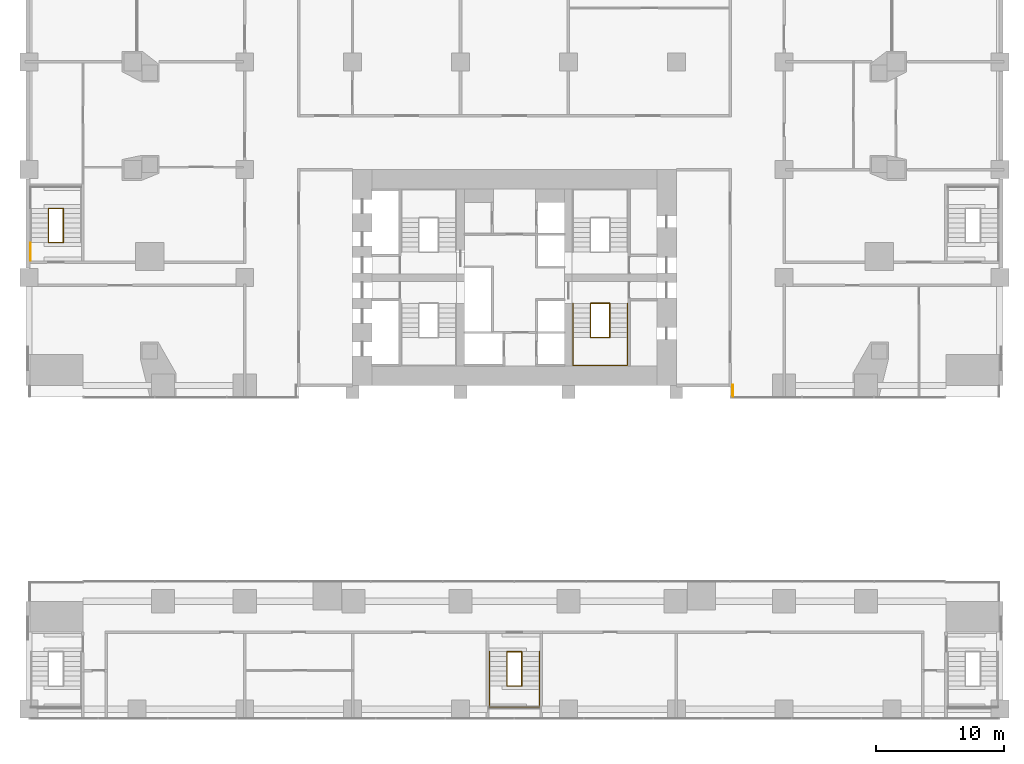
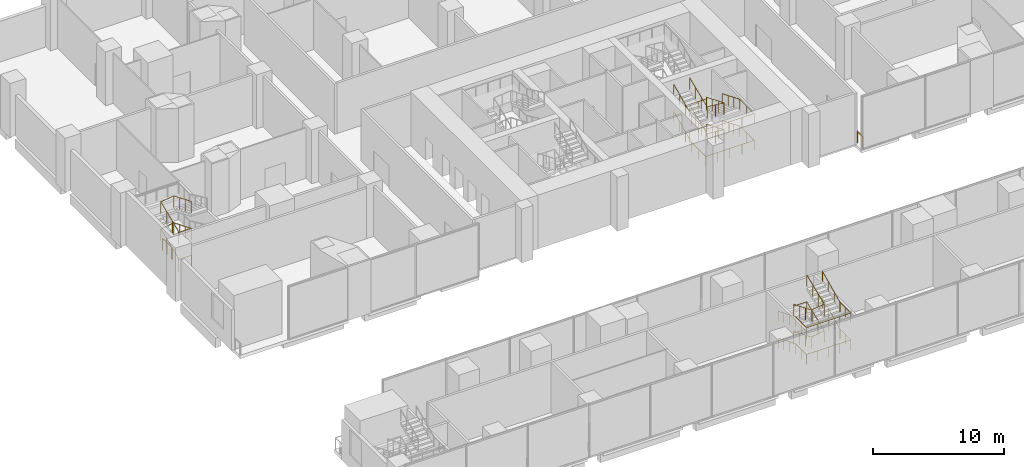
# One storey, part 20 of 24: 12 railings.
"""IFC4 building model written with IfcOpenShell, lengths in metres."""

from ifc_helpers import new_model, si_unit, direction, frame, origin, origin_2d, place, context, subcontext, project, spatial, circle, extrude, material, type_object, element, save


model = new_model("IFC4")

# Units and contexts
model_context = context("Model", 3, precision=1e-05, world=origin(), true_north=direction((0.0, 1.0)))
body_context = subcontext(model_context, "Body", "Model", "MODEL_VIEW")
ifc_project = project(units=[si_unit("LENGTHUNIT", "METRE"), si_unit("AREAUNIT", "SQUARE_METRE"), si_unit("VOLUMEUNIT", "CUBIC_METRE"), si_unit("PLANEANGLEUNIT", "RADIAN"), si_unit("MASSUNIT", "GRAM", prefix="KILO")], contexts=[model_context])

# Site, building, storey
site_placement = place(None, origin())
site = spatial("IfcSite", under=ifc_project, at=site_placement, CompositionType="ELEMENT")
building_placement = place(site_placement, origin())
building = spatial("IfcBuilding", under=site, at=building_placement, Name="Marenta Gate Hotel Tower", CompositionType="ELEMENT")
storey_placement = place(building_placement, frame((0.0, 0.0, 8.0)))
storey = spatial("IfcBuildingStorey", under=building, at=storey_placement, Name="L01", CompositionType="ELEMENT", Elevation=8.0)

# Railings
ifc_material_1 = material(Name="Stainless steel", Category="steel")
railing_type_1 = type_object("IfcRailingType", Name="Core stair handrail 950", PredefinedType="HANDRAIL", material=ifc_material_1)
railing_1_placement = place(storey_placement, frame((8.800048828125, 6.39990234375, 0.15625)))
element("IfcRailing", 1, at=railing_1_placement, inside=storey, type_object=railing_type_1, Name="HR-950 L01-KR-ST3-1", PredefinedType="HANDRAIL", context=body_context, shape_type="SweptSolid", body=[
    extrude(circle(Radius=0.02392578125, at=origin_2d()), frame((0.0, 0.0, 0.92578125), z_axis=(0.0, -0.924862585091, 0.38030145766), x_axis=(1.0, 0.0, 0.0)), (0.0, 0.0, 1.0), 2.8759765625),
    extrude(circle(Radius=0.02392578125, at=origin_2d()), frame((0.0, -2.659912109375, 2.01953125), z_axis=(0.0, -1.0, 0.0), x_axis=(1.0, 0.0, 0.0)), (0.0, 0.0, 1.0), 2.18994140625),
    extrude(circle(Radius=0.02392578125, at=origin_2d()), frame((0.0, -4.849853515625, 2.01953125), z_axis=(-1.0, 0.0, 0.0), x_axis=(0.0, -1.0, 0.0)), (0.0, 0.0, 1.0), 4.25),
    extrude(circle(Radius=0.02392578125, at=origin_2d()), frame((-4.25, -4.849853515625, 2.01953125), z_axis=(0.0, 1.0, 0.0), x_axis=(-1.0, 0.0, 0.0)), (0.0, 0.0, 1.0), 2.18994140625),
    extrude(circle(Radius=0.02392578125, at=origin_2d()), frame((-4.25, -2.659912109375, 2.01953125), z_axis=(0.0, 0.905044486808, 0.425316913488), x_axis=(-1.0, 0.0, 0.0)), (0.0, 0.0, 1.0), 2.93896484375),
    extrude(circle(Radius=0.02099609375, at=origin_2d()), origin(), (0.0, 0.0, 1.0), 0.90185546875),
    extrude(circle(Radius=0.02099609375, at=origin_2d()), frame((0.0, -0.88671875, 0.364501953125)), (0.0, 0.0, 1.0), 0.90185546875),
    extrude(circle(Radius=0.02099609375, at=origin_2d()), frame((0.0, -1.773193359375, 0.729248046875)), (0.0, 0.0, 1.0), 0.90185546875),
    extrude(circle(Radius=0.02099609375, at=origin_2d()), frame((0.0, -2.659912109375, 1.09375)), (0.0, 0.0, 1.0), 0.90185546875),
    extrude(circle(Radius=0.02099609375, at=origin_2d()), frame((0.0, -3.7548828125, 1.09375)), (0.0, 0.0, 1.0), 0.90185546875),
    extrude(circle(Radius=0.02099609375, at=origin_2d()), frame((0.0, -4.849853515625, 1.09375)), (0.0, 0.0, 1.0), 0.90185546875),
    extrude(circle(Radius=0.02099609375, at=origin_2d()), frame((-1.0625, -4.849853515625, 1.09375)), (0.0, 0.0, 1.0), 0.90185546875),
    extrude(circle(Radius=0.02099609375, at=origin_2d()), frame((-2.125, -4.849853515625, 1.09375)), (0.0, 0.0, 1.0), 0.90185546875),
    extrude(circle(Radius=0.02099609375, at=origin_2d()), frame((-3.1875, -4.849853515625, 1.09375)), (0.0, 0.0, 1.0), 0.90185546875),
    extrude(circle(Radius=0.02099609375, at=origin_2d()), frame((-4.25, -4.849853515625, 1.09375)), (0.0, 0.0, 1.0), 0.90185546875),
    extrude(circle(Radius=0.02099609375, at=origin_2d()), frame((-4.25, -3.7548828125, 1.09375)), (0.0, 0.0, 1.0), 0.90185546875),
    extrude(circle(Radius=0.02099609375, at=origin_2d()), frame((-4.25, -2.659912109375, 1.09375)), (0.0, 0.0, 1.0), 0.90185546875),
    extrude(circle(Radius=0.02099609375, at=origin_2d()), frame((-4.25, -1.773193359375, 1.510498046875)), (0.0, 0.0, 1.0), 0.90185546875),
    extrude(circle(Radius=0.02099609375, at=origin_2d()), frame((-4.25, -0.88671875, 1.927001953125)), (0.0, 0.0, 1.0), 0.90185546875),
    extrude(circle(Radius=0.02099609375, at=origin_2d()), frame((-4.25, 0.0, 2.34375)), (0.0, 0.0, 1.0), 0.90185546875),
])
railing_2_placement = place(storey_placement, frame((8.800048828125, 6.39990234375, 2.65625)))
element("IfcRailing", 2, at=railing_2_placement, inside=storey, type_object=railing_type_1, Name="HR-950 L01-KR-ST3-3", PredefinedType="HANDRAIL", context=body_context, shape_type="SweptSolid", body=[
    extrude(circle(Radius=0.02392578125, at=origin_2d()), frame((0.0, 0.0, 0.92578125), z_axis=(0.0, -0.924862585091, 0.38030145766), x_axis=(1.0, 0.0, 0.0)), (0.0, 0.0, 1.0), 2.8759765625),
    extrude(circle(Radius=0.02392578125, at=origin_2d()), frame((0.0, -2.659912109375, 2.01953125), z_axis=(0.0, -1.0, 0.0), x_axis=(1.0, 0.0, 0.0)), (0.0, 0.0, 1.0), 2.18994140625),
    extrude(circle(Radius=0.02392578125, at=origin_2d()), frame((0.0, -4.849853515625, 2.01953125), z_axis=(-1.0, 0.0, 0.0), x_axis=(0.0, -1.0, 0.0)), (0.0, 0.0, 1.0), 4.25),
    extrude(circle(Radius=0.02392578125, at=origin_2d()), frame((-4.25, -4.849853515625, 2.01953125), z_axis=(0.0, 1.0, 0.0), x_axis=(-1.0, 0.0, 0.0)), (0.0, 0.0, 1.0), 2.18994140625),
    extrude(circle(Radius=0.02392578125, at=origin_2d()), frame((-4.25, -2.659912109375, 2.01953125), z_axis=(0.0, 0.905044486808, 0.425316913488), x_axis=(-1.0, 0.0, 0.0)), (0.0, 0.0, 1.0), 2.93896484375),
    extrude(circle(Radius=0.02099609375, at=origin_2d()), origin(), (0.0, 0.0, 1.0), 0.90185546875),
    extrude(circle(Radius=0.02099609375, at=origin_2d()), frame((0.0, -0.88671875, 0.364501953125)), (0.0, 0.0, 1.0), 0.90185546875),
    extrude(circle(Radius=0.02099609375, at=origin_2d()), frame((0.0, -1.773193359375, 0.729248046875)), (0.0, 0.0, 1.0), 0.90185546875),
    extrude(circle(Radius=0.02099609375, at=origin_2d()), frame((0.0, -2.659912109375, 1.09375)), (0.0, 0.0, 1.0), 0.90185546875),
    extrude(circle(Radius=0.02099609375, at=origin_2d()), frame((0.0, -3.7548828125, 1.09375)), (0.0, 0.0, 1.0), 0.90185546875),
    extrude(circle(Radius=0.02099609375, at=origin_2d()), frame((0.0, -4.849853515625, 1.09375)), (0.0, 0.0, 1.0), 0.90185546875),
    extrude(circle(Radius=0.02099609375, at=origin_2d()), frame((-1.0625, -4.849853515625, 1.09375)), (0.0, 0.0, 1.0), 0.90185546875),
    extrude(circle(Radius=0.02099609375, at=origin_2d()), frame((-2.125, -4.849853515625, 1.09375)), (0.0, 0.0, 1.0), 0.90185546875),
    extrude(circle(Radius=0.02099609375, at=origin_2d()), frame((-3.1875, -4.849853515625, 1.09375)), (0.0, 0.0, 1.0), 0.90185546875),
    extrude(circle(Radius=0.02099609375, at=origin_2d()), frame((-4.25, -4.849853515625, 1.09375)), (0.0, 0.0, 1.0), 0.90185546875),
    extrude(circle(Radius=0.02099609375, at=origin_2d()), frame((-4.25, -3.7548828125, 1.09375)), (0.0, 0.0, 1.0), 0.90185546875),
    extrude(circle(Radius=0.02099609375, at=origin_2d()), frame((-4.25, -2.659912109375, 1.09375)), (0.0, 0.0, 1.0), 0.90185546875),
    extrude(circle(Radius=0.02099609375, at=origin_2d()), frame((-4.25, -1.773193359375, 1.510498046875)), (0.0, 0.0, 1.0), 0.90185546875),
    extrude(circle(Radius=0.02099609375, at=origin_2d()), frame((-4.25, -0.88671875, 1.927001953125)), (0.0, 0.0, 1.0), 0.90185546875),
    extrude(circle(Radius=0.02099609375, at=origin_2d()), frame((-4.25, 0.0, 2.34375)), (0.0, 0.0, 1.0), 0.90185546875),
])
railing_3_placement = place(storey_placement, frame((-1.949951171875, -20.72998046875, 0.15625)))
element("IfcRailing", 3, at=railing_3_placement, inside=storey, type_object=railing_type_1, Name="HR-950 L01-KR-PX5-2", PredefinedType="HANDRAIL", context=body_context, shape_type="SweptSolid", body=[
    extrude(circle(Radius=0.02392578125, at=origin_2d()), frame((0.0, 0.0, 0.92578125), z_axis=(0.0, -0.924862585091, 0.38030145766), x_axis=(1.0, 0.0, 0.0)), (0.0, 0.0, 1.0), 2.8759765625),
    extrude(circle(Radius=0.02392578125, at=origin_2d()), frame((0.0, -2.659912109375, 2.01953125), z_axis=(0.0, -1.0, 0.0), x_axis=(1.0, 0.0, 0.0)), (0.0, 0.0, 1.0), 1.66015625),
    extrude(circle(Radius=0.02392578125, at=origin_2d()), frame((0.0, -4.320068359375, 2.01953125), z_axis=(1.0, 0.0, 0.0), x_axis=(0.0, 1.0, 0.0)), (0.0, 0.0, 1.0), 3.89990234375),
    extrude(circle(Radius=0.02392578125, at=origin_2d()), frame((3.89990234375, -4.320068359375, 2.01953125), z_axis=(0.0, 1.0, 0.0), x_axis=(-1.0, 0.0, 0.0)), (0.0, 0.0, 1.0), 1.66015625),
    extrude(circle(Radius=0.02392578125, at=origin_2d()), frame((3.89990234375, -2.659912109375, 2.01953125), z_axis=(0.0, 0.905044486808, 0.425316913488), x_axis=(-1.0, 0.0, 0.0)), (0.0, 0.0, 1.0), 2.93896484375),
    extrude(circle(Radius=0.02099609375, at=origin_2d()), origin(), (0.0, 0.0, 1.0), 0.90185546875),
    extrude(circle(Radius=0.02099609375, at=origin_2d()), frame((0.0, -0.88671875, 0.364501953125)), (0.0, 0.0, 1.0), 0.90185546875),
    extrude(circle(Radius=0.02099609375, at=origin_2d()), frame((0.0, -1.773193359375, 0.729248046875)), (0.0, 0.0, 1.0), 0.90185546875),
    extrude(circle(Radius=0.02099609375, at=origin_2d()), frame((0.0, -2.659912109375, 1.09375)), (0.0, 0.0, 1.0), 0.90185546875),
    extrude(circle(Radius=0.02099609375, at=origin_2d()), frame((0.0, -3.489990234375, 1.09375)), (0.0, 0.0, 1.0), 0.90185546875),
    extrude(circle(Radius=0.02099609375, at=origin_2d()), frame((0.0, -4.320068359375, 1.09375)), (0.0, 0.0, 1.0), 0.90185546875),
    extrude(circle(Radius=0.02099609375, at=origin_2d()), frame((0.97509765625, -4.320068359375, 1.09375)), (0.0, 0.0, 1.0), 0.90185546875),
    extrude(circle(Radius=0.02099609375, at=origin_2d()), frame((1.949951171875, -4.320068359375, 1.09375)), (0.0, 0.0, 1.0), 0.90185546875),
    extrude(circle(Radius=0.02099609375, at=origin_2d()), frame((2.9248046875, -4.320068359375, 1.09375)), (0.0, 0.0, 1.0), 0.90185546875),
    extrude(circle(Radius=0.02099609375, at=origin_2d()), frame((3.89990234375, -4.320068359375, 1.09375)), (0.0, 0.0, 1.0), 0.90185546875),
    extrude(circle(Radius=0.02099609375, at=origin_2d()), frame((3.89990234375, -3.489990234375, 1.09375)), (0.0, 0.0, 1.0), 0.90185546875),
    extrude(circle(Radius=0.02099609375, at=origin_2d()), frame((3.89990234375, -2.659912109375, 1.09375)), (0.0, 0.0, 1.0), 0.90185546875),
    extrude(circle(Radius=0.02099609375, at=origin_2d()), frame((3.89990234375, -1.773193359375, 1.510498046875)), (0.0, 0.0, 1.0), 0.90185546875),
    extrude(circle(Radius=0.02099609375, at=origin_2d()), frame((3.89990234375, -0.88671875, 1.927001953125)), (0.0, 0.0, 1.0), 0.90185546875),
    extrude(circle(Radius=0.02099609375, at=origin_2d()), frame((3.89990234375, 0.0, 2.34375)), (0.0, 0.0, 1.0), 0.90185546875),
])
railing_4_placement = place(storey_placement, frame((-1.949951171875, -20.72998046875, 2.65625)))
element("IfcRailing", 4, at=railing_4_placement, inside=storey, type_object=railing_type_1, Name="HR-950 L01-KR-PX5-5", PredefinedType="HANDRAIL", context=body_context, shape_type="SweptSolid", body=[
    extrude(circle(Radius=0.02392578125, at=origin_2d()), frame((0.0, 0.0, 0.92578125), z_axis=(0.0, -0.924862585091, 0.38030145766), x_axis=(1.0, 0.0, 0.0)), (0.0, 0.0, 1.0), 2.8759765625),
    extrude(circle(Radius=0.02392578125, at=origin_2d()), frame((0.0, -2.659912109375, 2.01953125), z_axis=(0.0, -1.0, 0.0), x_axis=(1.0, 0.0, 0.0)), (0.0, 0.0, 1.0), 1.66015625),
    extrude(circle(Radius=0.02392578125, at=origin_2d()), frame((0.0, -4.320068359375, 2.01953125), z_axis=(1.0, 0.0, 0.0), x_axis=(0.0, 1.0, 0.0)), (0.0, 0.0, 1.0), 3.89990234375),
    extrude(circle(Radius=0.02392578125, at=origin_2d()), frame((3.89990234375, -4.320068359375, 2.01953125), z_axis=(0.0, 1.0, 0.0), x_axis=(-1.0, 0.0, 0.0)), (0.0, 0.0, 1.0), 1.66015625),
    extrude(circle(Radius=0.02392578125, at=origin_2d()), frame((3.89990234375, -2.659912109375, 2.01953125), z_axis=(0.0, 0.905044486808, 0.425316913488), x_axis=(-1.0, 0.0, 0.0)), (0.0, 0.0, 1.0), 2.93896484375),
    extrude(circle(Radius=0.02099609375, at=origin_2d()), origin(), (0.0, 0.0, 1.0), 0.90185546875),
    extrude(circle(Radius=0.02099609375, at=origin_2d()), frame((0.0, -0.88671875, 0.364501953125)), (0.0, 0.0, 1.0), 0.90185546875),
    extrude(circle(Radius=0.02099609375, at=origin_2d()), frame((0.0, -1.773193359375, 0.729248046875)), (0.0, 0.0, 1.0), 0.90185546875),
    extrude(circle(Radius=0.02099609375, at=origin_2d()), frame((0.0, -2.659912109375, 1.09375)), (0.0, 0.0, 1.0), 0.90185546875),
    extrude(circle(Radius=0.02099609375, at=origin_2d()), frame((0.0, -3.489990234375, 1.09375)), (0.0, 0.0, 1.0), 0.90185546875),
    extrude(circle(Radius=0.02099609375, at=origin_2d()), frame((0.0, -4.320068359375, 1.09375)), (0.0, 0.0, 1.0), 0.90185546875),
    extrude(circle(Radius=0.02099609375, at=origin_2d()), frame((0.97509765625, -4.320068359375, 1.09375)), (0.0, 0.0, 1.0), 0.90185546875),
    extrude(circle(Radius=0.02099609375, at=origin_2d()), frame((1.949951171875, -4.320068359375, 1.09375)), (0.0, 0.0, 1.0), 0.90185546875),
    extrude(circle(Radius=0.02099609375, at=origin_2d()), frame((2.9248046875, -4.320068359375, 1.09375)), (0.0, 0.0, 1.0), 0.90185546875),
    extrude(circle(Radius=0.02099609375, at=origin_2d()), frame((3.89990234375, -4.320068359375, 1.09375)), (0.0, 0.0, 1.0), 0.90185546875),
    extrude(circle(Radius=0.02099609375, at=origin_2d()), frame((3.89990234375, -3.489990234375, 1.09375)), (0.0, 0.0, 1.0), 0.90185546875),
    extrude(circle(Radius=0.02099609375, at=origin_2d()), frame((3.89990234375, -2.659912109375, 1.09375)), (0.0, 0.0, 1.0), 0.90185546875),
    extrude(circle(Radius=0.02099609375, at=origin_2d()), frame((3.89990234375, -1.773193359375, 1.510498046875)), (0.0, 0.0, 1.0), 0.90185546875),
    extrude(circle(Radius=0.02099609375, at=origin_2d()), frame((3.89990234375, -0.88671875, 1.927001953125)), (0.0, 0.0, 1.0), 0.90185546875),
    extrude(circle(Radius=0.02099609375, at=origin_2d()), frame((3.89990234375, 0.0, 2.34375)), (0.0, 0.0, 1.0), 0.90185546875),
])
ifc_material_2 = material(Name="Stainless steel", Category="steel")
railing_type_2 = type_object("IfcRailingType", Name="Core stair well guard 1100", PredefinedType="GUARDRAIL", material=ifc_material_2)
railing_5_placement = place(storey_placement, frame((5.929931640625, 6.39990234375, 0.0)))
element("IfcRailing", 5, at=railing_5_placement, inside=storey, type_object=railing_type_2, Name="GR-1100 L01-KR-ST3-2", PredefinedType="GUARDRAIL", context=body_context, shape_type="SweptSolid", body=[
    extrude(circle(Radius=0.02392578125, at=origin_2d()), frame((0.0, 0.0, 1.076171875), z_axis=(1.0, 0.0, 0.0), x_axis=(0.0, 1.0, 0.0)), (0.0, 0.0, 1.0), 1.489990234375),
    extrude(circle(Radius=0.02392578125, at=origin_2d()), frame((1.489990234375, 0.0, 1.076171875), z_axis=(0.0, 0.0, 1.0), x_axis=(1.0, 0.0, 0.0)), (0.0, 0.0, 1.0), 0.15625),
    extrude(circle(Radius=0.02392578125, at=origin_2d()), frame((1.489990234375, 0.0, 1.232421875), z_axis=(0.0, -0.924862585091, 0.38030145766), x_axis=(1.0, 0.0, 0.0)), (0.0, 0.0, 1.0), 2.8759765625),
    extrude(circle(Radius=0.02392578125, at=origin_2d()), frame((1.489990234375, -2.659912109375, 2.326171875), z_axis=(-0.994546451282, 0.0, 0.104294564775), x_axis=(0.0, -1.0, 0.0)), (0.0, 0.0, 1.0), 1.498046875),
    extrude(circle(Radius=0.02392578125, at=origin_2d()), frame((0.0, -2.659912109375, 2.482421875), z_axis=(0.0, 0.924862585091, 0.38030145766), x_axis=(-1.0, 0.0, 0.0)), (0.0, 0.0, 1.0), 2.8759765625),
    extrude(circle(Radius=0.02099609375, at=origin_2d()), origin(), (0.0, 0.0, 1.0), 1.052001953125),
    extrude(circle(Radius=0.02099609375, at=origin_2d()), frame((0.7451171875, 0.0, 0.0)), (0.0, 0.0, 1.0), 1.052001953125),
    extrude(circle(Radius=0.02099609375, at=origin_2d()), frame((1.489990234375, 0.0, 0.0)), (0.0, 0.0, 1.0), 1.052001953125),
    extrude(circle(Radius=0.02099609375, at=origin_2d()), frame((1.489990234375, 0.0, 0.15625)), (0.0, 0.0, 1.0), 1.052001953125),
    extrude(circle(Radius=0.02099609375, at=origin_2d()), frame((1.489990234375, -0.88671875, 0.520751953125)), (0.0, 0.0, 1.0), 1.052001953125),
    extrude(circle(Radius=0.02099609375, at=origin_2d()), frame((1.489990234375, -1.773193359375, 0.885498046875)), (0.0, 0.0, 1.0), 1.052001953125),
    extrude(circle(Radius=0.02099609375, at=origin_2d()), frame((1.489990234375, -2.659912109375, 1.25)), (0.0, 0.0, 1.0), 1.052001953125),
    extrude(circle(Radius=0.02099609375, at=origin_2d()), frame((0.7451171875, -2.659912109375, 1.328125)), (0.0, 0.0, 1.0), 1.052001953125),
    extrude(circle(Radius=0.02099609375, at=origin_2d()), frame((0.0, -2.659912109375, 1.40625)), (0.0, 0.0, 1.0), 1.052001953125),
    extrude(circle(Radius=0.02099609375, at=origin_2d()), frame((0.0, -1.773193359375, 1.770751953125)), (0.0, 0.0, 1.0), 1.052001953125),
    extrude(circle(Radius=0.02099609375, at=origin_2d()), frame((0.0, -0.88671875, 2.135498046875)), (0.0, 0.0, 1.0), 1.052001953125),
    extrude(circle(Radius=0.02099609375, at=origin_2d()), frame((0.0, 0.0, 2.5)), (0.0, 0.0, 1.0), 1.052001953125),
])
railing_6_placement = place(storey_placement, frame((5.929931640625, 6.39990234375, 2.5)))
element("IfcRailing", 6, at=railing_6_placement, inside=storey, type_object=railing_type_2, Name="GR-1100 L01-KR-ST3-4", PredefinedType="GUARDRAIL", context=body_context, shape_type="SweptSolid", body=[
    extrude(circle(Radius=0.02392578125, at=origin_2d()), frame((0.0, 0.0, 1.076171875), z_axis=(1.0, 0.0, 0.0), x_axis=(0.0, 1.0, 0.0)), (0.0, 0.0, 1.0), 1.489990234375),
    extrude(circle(Radius=0.02392578125, at=origin_2d()), frame((1.489990234375, 0.0, 1.076171875), z_axis=(0.0, 0.0, 1.0), x_axis=(1.0, 0.0, 0.0)), (0.0, 0.0, 1.0), 0.15625),
    extrude(circle(Radius=0.02392578125, at=origin_2d()), frame((1.489990234375, 0.0, 1.232421875), z_axis=(0.0, -0.924862585091, 0.38030145766), x_axis=(1.0, 0.0, 0.0)), (0.0, 0.0, 1.0), 2.8759765625),
    extrude(circle(Radius=0.02392578125, at=origin_2d()), frame((1.489990234375, -2.659912109375, 2.326171875), z_axis=(-0.994546451282, 0.0, 0.104294564775), x_axis=(0.0, -1.0, 0.0)), (0.0, 0.0, 1.0), 1.498046875),
    extrude(circle(Radius=0.02392578125, at=origin_2d()), frame((0.0, -2.659912109375, 2.482421875), z_axis=(0.0, 0.924862585091, 0.38030145766), x_axis=(-1.0, 0.0, 0.0)), (0.0, 0.0, 1.0), 2.8759765625),
    extrude(circle(Radius=0.02099609375, at=origin_2d()), origin(), (0.0, 0.0, 1.0), 1.052001953125),
    extrude(circle(Radius=0.02099609375, at=origin_2d()), frame((0.7451171875, 0.0, 0.0)), (0.0, 0.0, 1.0), 1.052001953125),
    extrude(circle(Radius=0.02099609375, at=origin_2d()), frame((1.489990234375, 0.0, 0.0)), (0.0, 0.0, 1.0), 1.052001953125),
    extrude(circle(Radius=0.02099609375, at=origin_2d()), frame((1.489990234375, 0.0, 0.15625)), (0.0, 0.0, 1.0), 1.052001953125),
    extrude(circle(Radius=0.02099609375, at=origin_2d()), frame((1.489990234375, -0.88671875, 0.520751953125)), (0.0, 0.0, 1.0), 1.052001953125),
    extrude(circle(Radius=0.02099609375, at=origin_2d()), frame((1.489990234375, -1.773193359375, 0.885498046875)), (0.0, 0.0, 1.0), 1.052001953125),
    extrude(circle(Radius=0.02099609375, at=origin_2d()), frame((1.489990234375, -2.659912109375, 1.25)), (0.0, 0.0, 1.0), 1.052001953125),
    extrude(circle(Radius=0.02099609375, at=origin_2d()), frame((0.7451171875, -2.659912109375, 1.328125)), (0.0, 0.0, 1.0), 1.052001953125),
    extrude(circle(Radius=0.02099609375, at=origin_2d()), frame((0.0, -2.659912109375, 1.40625)), (0.0, 0.0, 1.0), 1.052001953125),
    extrude(circle(Radius=0.02099609375, at=origin_2d()), frame((0.0, -1.773193359375, 1.770751953125)), (0.0, 0.0, 1.0), 1.052001953125),
    extrude(circle(Radius=0.02099609375, at=origin_2d()), frame((0.0, -0.88671875, 2.135498046875)), (0.0, 0.0, 1.0), 1.052001953125),
    extrude(circle(Radius=0.02099609375, at=origin_2d()), frame((0.0, 0.0, 2.5)), (0.0, 0.0, 1.0), 1.052001953125),
])
railing_7_placement = place(storey_placement, frame((0.570068359375, -20.72998046875, 0.0)))
element("IfcRailing", 7, at=railing_7_placement, inside=storey, type_object=railing_type_2, Name="GR-1100 L01-KR-PX5-3", PredefinedType="GUARDRAIL", context=body_context, shape_type="SweptSolid", body=[
    extrude(circle(Radius=0.02392578125, at=origin_2d()), frame((0.0, 0.0, 1.076171875), z_axis=(-1.0, 0.0, 0.0), x_axis=(0.0, -1.0, 0.0)), (0.0, 0.0, 1.0), 1.14013671875),
    extrude(circle(Radius=0.02392578125, at=origin_2d()), frame((-1.14013671875, 0.0, 1.076171875), z_axis=(0.0, 0.0, 1.0), x_axis=(1.0, 0.0, 0.0)), (0.0, 0.0, 1.0), 0.15625),
    extrude(circle(Radius=0.02392578125, at=origin_2d()), frame((-1.14013671875, 0.0, 1.232421875), z_axis=(0.0, -0.924862585091, 0.38030145766), x_axis=(1.0, 0.0, 0.0)), (0.0, 0.0, 1.0), 2.8759765625),
    extrude(circle(Radius=0.02392578125, at=origin_2d()), frame((-1.14013671875, -2.659912109375, 2.326171875), z_axis=(0.990739578357, 0.0, 0.135775873693), x_axis=(0.0, 1.0, 0.0)), (0.0, 0.0, 1.0), 1.15087890625),
    extrude(circle(Radius=0.02392578125, at=origin_2d()), frame((0.0, -2.659912109375, 2.482421875), z_axis=(0.0, 0.924862585091, 0.38030145766), x_axis=(-1.0, 0.0, 0.0)), (0.0, 0.0, 1.0), 2.8759765625),
    extrude(circle(Radius=0.02099609375, at=origin_2d()), origin(), (0.0, 0.0, 1.0), 1.052001953125),
    extrude(circle(Radius=0.02099609375, at=origin_2d()), frame((-1.14013671875, 0.0, 0.0)), (0.0, 0.0, 1.0), 1.052001953125),
    extrude(circle(Radius=0.02099609375, at=origin_2d()), frame((-1.14013671875, 0.0, 0.15625)), (0.0, 0.0, 1.0), 1.052001953125),
    extrude(circle(Radius=0.02099609375, at=origin_2d()), frame((-1.14013671875, -0.88671875, 0.520751953125)), (0.0, 0.0, 1.0), 1.052001953125),
    extrude(circle(Radius=0.02099609375, at=origin_2d()), frame((-1.14013671875, -1.773193359375, 0.885498046875)), (0.0, 0.0, 1.0), 1.052001953125),
    extrude(circle(Radius=0.02099609375, at=origin_2d()), frame((-1.14013671875, -2.659912109375, 1.25)), (0.0, 0.0, 1.0), 1.052001953125),
    extrude(circle(Radius=0.02099609375, at=origin_2d()), frame((0.0, -2.659912109375, 1.40625)), (0.0, 0.0, 1.0), 1.052001953125),
    extrude(circle(Radius=0.02099609375, at=origin_2d()), frame((0.0, -1.773193359375, 1.770751953125)), (0.0, 0.0, 1.0), 1.052001953125),
    extrude(circle(Radius=0.02099609375, at=origin_2d()), frame((0.0, -0.88671875, 2.135498046875)), (0.0, 0.0, 1.0), 1.052001953125),
    extrude(circle(Radius=0.02099609375, at=origin_2d()), frame((0.0, 0.0, 2.5)), (0.0, 0.0, 1.0), 1.052001953125),
])
railing_8_placement = place(storey_placement, frame((0.570068359375, -20.72998046875, 2.5)))
element("IfcRailing", 8, at=railing_8_placement, inside=storey, type_object=railing_type_2, Name="GR-1100 L01-KR-PX5-6", PredefinedType="GUARDRAIL", context=body_context, shape_type="SweptSolid", body=[
    extrude(circle(Radius=0.02392578125, at=origin_2d()), frame((0.0, 0.0, 1.076171875), z_axis=(-1.0, 0.0, 0.0), x_axis=(0.0, -1.0, 0.0)), (0.0, 0.0, 1.0), 1.14013671875),
    extrude(circle(Radius=0.02392578125, at=origin_2d()), frame((-1.14013671875, 0.0, 1.076171875), z_axis=(0.0, 0.0, 1.0), x_axis=(1.0, 0.0, 0.0)), (0.0, 0.0, 1.0), 0.15625),
    extrude(circle(Radius=0.02392578125, at=origin_2d()), frame((-1.14013671875, 0.0, 1.232421875), z_axis=(0.0, -0.924862585091, 0.38030145766), x_axis=(1.0, 0.0, 0.0)), (0.0, 0.0, 1.0), 2.8759765625),
    extrude(circle(Radius=0.02392578125, at=origin_2d()), frame((-1.14013671875, -2.659912109375, 2.326171875), z_axis=(0.990739578357, 0.0, 0.135775873693), x_axis=(0.0, 1.0, 0.0)), (0.0, 0.0, 1.0), 1.15087890625),
    extrude(circle(Radius=0.02392578125, at=origin_2d()), frame((0.0, -2.659912109375, 2.482421875), z_axis=(0.0, 0.924862585091, 0.38030145766), x_axis=(-1.0, 0.0, 0.0)), (0.0, 0.0, 1.0), 2.8759765625),
    extrude(circle(Radius=0.02099609375, at=origin_2d()), origin(), (0.0, 0.0, 1.0), 1.052001953125),
    extrude(circle(Radius=0.02099609375, at=origin_2d()), frame((-1.14013671875, 0.0, 0.0)), (0.0, 0.0, 1.0), 1.052001953125),
    extrude(circle(Radius=0.02099609375, at=origin_2d()), frame((-1.14013671875, 0.0, 0.15625)), (0.0, 0.0, 1.0), 1.052001953125),
    extrude(circle(Radius=0.02099609375, at=origin_2d()), frame((-1.14013671875, -0.88671875, 0.520751953125)), (0.0, 0.0, 1.0), 1.052001953125),
    extrude(circle(Radius=0.02099609375, at=origin_2d()), frame((-1.14013671875, -1.773193359375, 0.885498046875)), (0.0, 0.0, 1.0), 1.052001953125),
    extrude(circle(Radius=0.02099609375, at=origin_2d()), frame((-1.14013671875, -2.659912109375, 1.25)), (0.0, 0.0, 1.0), 1.052001953125),
    extrude(circle(Radius=0.02099609375, at=origin_2d()), frame((0.0, -2.659912109375, 1.40625)), (0.0, 0.0, 1.0), 1.052001953125),
    extrude(circle(Radius=0.02099609375, at=origin_2d()), frame((0.0, -1.773193359375, 1.770751953125)), (0.0, 0.0, 1.0), 1.052001953125),
    extrude(circle(Radius=0.02099609375, at=origin_2d()), frame((0.0, -0.88671875, 2.135498046875)), (0.0, 0.0, 1.0), 1.052001953125),
    extrude(circle(Radius=0.02099609375, at=origin_2d()), frame((0.0, 0.0, 2.5)), (0.0, 0.0, 1.0), 1.052001953125),
])
railing_9_placement = place(storey_placement, frame((-35.1298828125, 11.1298828125, 0.0)))
element("IfcRailing", 9, at=railing_9_placement, inside=storey, type_object=railing_type_2, Name="GR-1100 L01-KR-PX6-3", PredefinedType="GUARDRAIL", context=body_context, shape_type="SweptSolid", body=[
    extrude(circle(Radius=0.02392578125, at=origin_2d()), frame((0.0, 0.0, 1.076171875), z_axis=(-1.0, 0.0, 0.0), x_axis=(0.0, -1.0, 0.0)), (0.0, 0.0, 1.0), 1.14013671875),
    extrude(circle(Radius=0.02392578125, at=origin_2d()), frame((-1.14013671875, 0.0, 1.076171875), z_axis=(0.0, 0.0, 1.0), x_axis=(1.0, 0.0, 0.0)), (0.0, 0.0, 1.0), 0.15625),
    extrude(circle(Radius=0.02392578125, at=origin_2d()), frame((-1.14013671875, 0.0, 1.232421875), z_axis=(0.0, 0.924874861033, 0.380271602187), x_axis=(-1.0, 0.0, 0.0)), (0.0, 0.0, 1.0), 2.876220703125),
    extrude(circle(Radius=0.02392578125, at=origin_2d()), frame((-1.14013671875, 2.66015625, 2.326171875), z_axis=(0.990739578357, 0.0, 0.135775873693), x_axis=(0.0, 1.0, 0.0)), (0.0, 0.0, 1.0), 1.15087890625),
    extrude(circle(Radius=0.02392578125, at=origin_2d()), frame((0.0, 2.66015625, 2.482421875), z_axis=(0.0, -0.924874861033, 0.380271602187), x_axis=(1.0, 0.0, 0.0)), (0.0, 0.0, 1.0), 2.876220703125),
    extrude(circle(Radius=0.02099609375, at=origin_2d()), origin(), (0.0, 0.0, 1.0), 1.052001953125),
    extrude(circle(Radius=0.02099609375, at=origin_2d()), frame((-1.14013671875, 0.0, 0.0)), (0.0, 0.0, 1.0), 1.052001953125),
    extrude(circle(Radius=0.02099609375, at=origin_2d()), frame((-1.14013671875, 0.0, 0.15625)), (0.0, 0.0, 1.0), 1.052001953125),
    extrude(circle(Radius=0.02099609375, at=origin_2d()), frame((-1.14013671875, 0.88671875, 0.520751953125)), (0.0, 0.0, 1.0), 1.052001953125),
    extrude(circle(Radius=0.02099609375, at=origin_2d()), frame((-1.14013671875, 1.7734375, 0.885498046875)), (0.0, 0.0, 1.0), 1.052001953125),
    extrude(circle(Radius=0.02099609375, at=origin_2d()), frame((-1.14013671875, 2.66015625, 1.25)), (0.0, 0.0, 1.0), 1.052001953125),
    extrude(circle(Radius=0.02099609375, at=origin_2d()), frame((0.0, 2.66015625, 1.40625)), (0.0, 0.0, 1.0), 1.052001953125),
    extrude(circle(Radius=0.02099609375, at=origin_2d()), frame((0.0, 1.7734375, 1.770751953125)), (0.0, 0.0, 1.0), 1.052001953125),
    extrude(circle(Radius=0.02099609375, at=origin_2d()), frame((0.0, 0.88671875, 2.135498046875)), (0.0, 0.0, 1.0), 1.052001953125),
    extrude(circle(Radius=0.02099609375, at=origin_2d()), frame((0.0, 0.0, 2.5)), (0.0, 0.0, 1.0), 1.052001953125),
])
railing_10_placement = place(storey_placement, frame((-35.1298828125, 11.1298828125, 2.5)))
element("IfcRailing", 10, at=railing_10_placement, inside=storey, type_object=railing_type_2, Name="GR-1100 L01-KR-PX6-6", PredefinedType="GUARDRAIL", context=body_context, shape_type="SweptSolid", body=[
    extrude(circle(Radius=0.02392578125, at=origin_2d()), frame((0.0, 0.0, 1.076171875), z_axis=(-1.0, 0.0, 0.0), x_axis=(0.0, -1.0, 0.0)), (0.0, 0.0, 1.0), 1.14013671875),
    extrude(circle(Radius=0.02392578125, at=origin_2d()), frame((-1.14013671875, 0.0, 1.076171875), z_axis=(0.0, 0.0, 1.0), x_axis=(1.0, 0.0, 0.0)), (0.0, 0.0, 1.0), 0.15625),
    extrude(circle(Radius=0.02392578125, at=origin_2d()), frame((-1.14013671875, 0.0, 1.232421875), z_axis=(0.0, 0.924874861033, 0.380271602187), x_axis=(-1.0, 0.0, 0.0)), (0.0, 0.0, 1.0), 2.876220703125),
    extrude(circle(Radius=0.02392578125, at=origin_2d()), frame((-1.14013671875, 2.66015625, 2.326171875), z_axis=(0.990739578357, 0.0, 0.135775873693), x_axis=(0.0, 1.0, 0.0)), (0.0, 0.0, 1.0), 1.15087890625),
    extrude(circle(Radius=0.02392578125, at=origin_2d()), frame((0.0, 2.66015625, 2.482421875), z_axis=(0.0, -0.924874861033, 0.380271602187), x_axis=(1.0, 0.0, 0.0)), (0.0, 0.0, 1.0), 2.876220703125),
    extrude(circle(Radius=0.02099609375, at=origin_2d()), origin(), (0.0, 0.0, 1.0), 1.052001953125),
    extrude(circle(Radius=0.02099609375, at=origin_2d()), frame((-1.14013671875, 0.0, 0.0)), (0.0, 0.0, 1.0), 1.052001953125),
    extrude(circle(Radius=0.02099609375, at=origin_2d()), frame((-1.14013671875, 0.0, 0.15625)), (0.0, 0.0, 1.0), 1.052001953125),
    extrude(circle(Radius=0.02099609375, at=origin_2d()), frame((-1.14013671875, 0.88671875, 0.520751953125)), (0.0, 0.0, 1.0), 1.052001953125),
    extrude(circle(Radius=0.02099609375, at=origin_2d()), frame((-1.14013671875, 1.7734375, 0.885498046875)), (0.0, 0.0, 1.0), 1.052001953125),
    extrude(circle(Radius=0.02099609375, at=origin_2d()), frame((-1.14013671875, 2.66015625, 1.25)), (0.0, 0.0, 1.0), 1.052001953125),
    extrude(circle(Radius=0.02099609375, at=origin_2d()), frame((0.0, 2.66015625, 1.40625)), (0.0, 0.0, 1.0), 1.052001953125),
    extrude(circle(Radius=0.02099609375, at=origin_2d()), frame((0.0, 1.7734375, 1.770751953125)), (0.0, 0.0, 1.0), 1.052001953125),
    extrude(circle(Radius=0.02099609375, at=origin_2d()), frame((0.0, 0.88671875, 2.135498046875)), (0.0, 0.0, 1.0), 1.052001953125),
    extrude(circle(Radius=0.02099609375, at=origin_2d()), frame((0.0, 0.0, 2.5)), (0.0, 0.0, 1.0), 1.052001953125),
])
railing_11_placement = place(storey_placement, frame((-37.679931640625, 9.75, 2.5)))
element("IfcRailing", 11, at=railing_11_placement, inside=storey, type_object=railing_type_2, Name="GR-1100 L01-KR-PX6-8", PredefinedType="GUARDRAIL", context=body_context, shape_type="SweptSolid", body=[
    extrude(circle(Radius=0.02392578125, at=origin_2d()), frame((0.0, 0.0, 1.076171875), z_axis=(0.0, 1.0, 0.0), x_axis=(-1.0, 0.0, 0.0)), (0.0, 0.0, 1.0), 1.330078125),
    extrude(circle(Radius=0.02099609375, at=origin_2d()), origin(), (0.0, 0.0, 1.0), 1.052001953125),
    extrude(circle(Radius=0.02099609375, at=origin_2d()), frame((0.0, 0.6650390625, 0.0)), (0.0, 0.0, 1.0), 1.052001953125),
    extrude(circle(Radius=0.02099609375, at=origin_2d()), frame((0.0, 1.330078125, 0.0)), (0.0, 0.0, 1.0), 1.052001953125),
])
ifc_material_3 = material(Name="Stainless steel", Category="steel")
railing_type_3 = type_object("IfcRailingType", Name="Slab edge guard 1100", PredefinedType="GUARDRAIL", material=ifc_material_3)
railing_12_placement = place(storey_placement, frame((17.0, -0.85009765625, 0.0)))
element("IfcRailing", 12, at=railing_12_placement, inside=storey, type_object=railing_type_3, Name="GR-1100E L01-PGD-E", PredefinedType="GUARDRAIL", context=body_context, shape_type="SweptSolid", body=[
    extrude(circle(Radius=0.02392578125, at=origin_2d()), frame((0.0, 0.0, 1.076171875), z_axis=(0.0, 1.0, 0.0), x_axis=(-1.0, 0.0, 0.0)), (0.0, 0.0, 1.0), 0.900146484375),
    extrude(circle(Radius=0.02099609375, at=origin_2d()), origin(), (0.0, 0.0, 1.0), 1.052001953125),
    extrude(circle(Radius=0.02099609375, at=origin_2d()), frame((0.0, 0.900146484375, 0.0)), (0.0, 0.0, 1.0), 1.052001953125),
])

save(model, "model.ifc")
